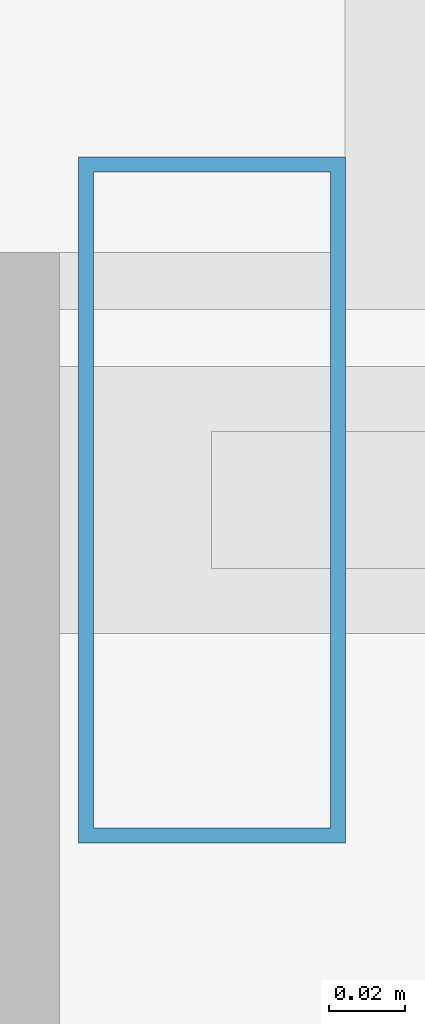
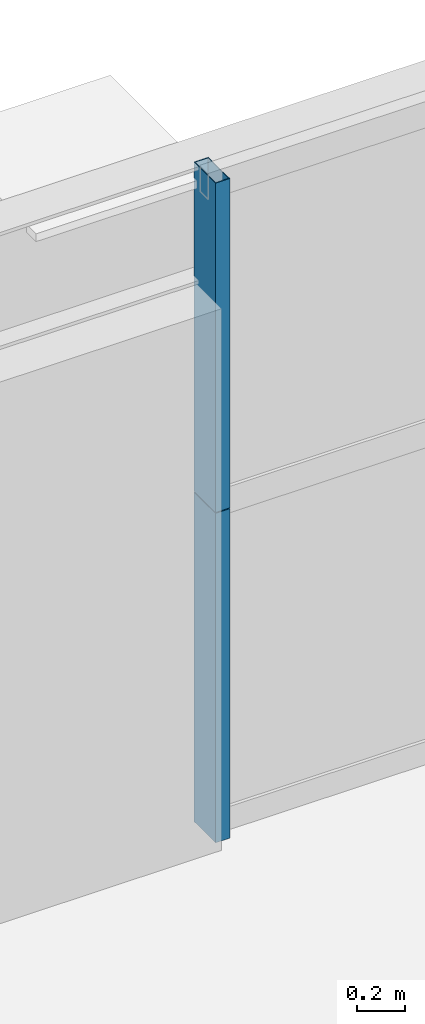
# One storey, part 26 of 43: 2 members, 1 element without a shape of its own.
"""IFC4 building model written with IfcOpenShell, lengths in metres."""

import ifcopenshell
import ifcopenshell.guid

model = None  # the IFC model being written
_history = None  # IfcOwnerHistory: only IFC2X3 demands one
_inside = {}  # id of a spatial element -> (the spatial element, [elements in it])
_under = {}  # id of a project, library or spatial element -> (it, [spatial elements below it])
_declared = {}  # id of a project -> (the project, [libraries it declares])
_typed = {}  # id of a type object -> (the type object, [elements of that type])
_made_of = {}  # id of a material, layer set ... -> (it, [elements and type objects made of it])


def new_model(schema):
    """Start an empty IFC model of exactly this schema.

    Asked for "IFC4X3", IfcOpenShell would pick the latest addendum, in which some entities
    have other attributes; the version numbers below select the first issue.
    IFC2X3 requires an IfcOwnerHistory on every rooted entity: one is made here for all.
    """
    global model, _history
    if schema == "IFC4X3":
        model = ifcopenshell.file(schema_version=(4, 3, 0, 0))
    else:
        model = ifcopenshell.file(schema=schema)
    _inside.clear()
    _under.clear()
    _declared.clear()
    _typed.clear()
    _made_of.clear()
    _history = None
    if model.schema == "IFC2X3":
        org = make("IfcOrganization", Name="unknown")
        user = make(
            "IfcPersonAndOrganization",
            ThePerson=make("IfcPerson", FamilyName="unknown"),
            TheOrganization=org,
        )
        app = make(
            "IfcApplication",
            ApplicationDeveloper=org,
            Version="unknown",
            ApplicationFullName="unknown",
            ApplicationIdentifier="unknown",
        )
        _history = make(
            "IfcOwnerHistory",
            OwningUser=user,
            OwningApplication=app,
            ChangeAction="ADDED",
            CreationDate=0,
        )
    return model


def make(cls, **values):
    """One entity of the class cls with the attributes given. An attribute that is None is left unset."""
    return model.create_entity(
        cls, **{name: value for name, value in values.items() if value is not None}
    )


def rooted(cls, **values):
    """An entity with a GlobalId (a new one), such as an element, a storey or a relation."""
    return make(cls, GlobalId=ifcopenshell.guid.new(), OwnerHistory=_history, **values)


def si_unit(unit_type, name, prefix=None):
    """IfcSIUnit, for example si_unit("LENGTHUNIT", "METRE", prefix="MILLI")."""
    return make("IfcSIUnit", UnitType=unit_type, Prefix=prefix, Name=name)


def assignment(units):
    """IfcUnitAssignment: the units of a project."""
    return None if units is None else make("IfcUnitAssignment", Units=units)


def point(xyz):
    """IfcCartesianPoint."""
    return None if xyz is None else make("IfcCartesianPoint", Coordinates=xyz)


def direction(xyz):
    """IfcDirection."""
    return None if xyz is None else make("IfcDirection", DirectionRatios=xyz)


def frame(location, z_axis=None, x_axis=None):
    """IfcAxis2Placement3D, a coordinate frame: its origin and axes. An axis left out is left unset."""
    return make(
        "IfcAxis2Placement3D",
        Location=point(location),
        Axis=direction(z_axis),
        RefDirection=direction(x_axis),
    )


def frame_2d(location, x_axis=None):
    """IfcAxis2Placement2D, a coordinate frame in the plane: its origin and x axis."""
    return make(
        "IfcAxis2Placement2D", Location=point(location), RefDirection=direction(x_axis)
    )


def origin():
    """The frame at (0, 0, 0) with its axes left unset."""
    return frame((0.0, 0.0, 0.0))


def origin_2d():
    """The frame at (0, 0) in the plane with its x axis left unset."""
    return frame_2d((0.0, 0.0))


def place(relative_to, where):
    """IfcLocalPlacement: puts the frame where relative to a parent placement (None: the world)."""
    return make(
        "IfcLocalPlacement", PlacementRelTo=relative_to, RelativePlacement=where
    )


def context(
    kind, dimensions, precision=None, world=None, true_north=None, identifier=None
):
    """IfcGeometricRepresentationContext, for example the 3D "Model" context."""
    return make(
        "IfcGeometricRepresentationContext",
        ContextIdentifier=identifier,
        ContextType=kind,
        CoordinateSpaceDimension=dimensions,
        Precision=precision,
        WorldCoordinateSystem=world,
        TrueNorth=true_north,
    )


def subcontext(parent, identifier, kind, view, scale=None):
    """IfcGeometricRepresentationSubContext, for example "Body" below "Model"."""
    return make(
        "IfcGeometricRepresentationSubContext",
        ContextIdentifier=identifier,
        ContextType=kind,
        ParentContext=parent,
        TargetScale=scale,
        TargetView=view,
    )


def project(units=None, contexts=None):
    """IfcProject with its units and contexts."""
    return rooted(
        "IfcProject",
        Name="project",
        RepresentationContexts=contexts,
        UnitsInContext=assignment(units),
    )


def spatial(cls, under=None, at=None, **own):
    """A site, building, storey or space (cls), placed at a placement, below another one or the project."""
    s = rooted(cls, ObjectPlacement=at, **own)
    if under is not None:
        _under.setdefault(under.id(), (under, []))[1].append(s)
    return s


def profile(cls, at=None, kind="AREA", **sizes):
    """A parametric profile (cls). Its sizes go by their IFC names, for example OverallWidth=200.0."""
    return make(cls, ProfileType=kind, Position=at, **sizes)


def hollow_rectangle(**sizes):
    """IfcRectangleHollowProfileDef."""
    return profile("IfcRectangleHollowProfileDef", **sizes)


def extrude(swept, where, along, depth):
    """IfcExtrudedAreaSolid: the profile swept, set in the frame where, extruded along a direction by depth."""
    return make(
        "IfcExtrudedAreaSolid",
        SweptArea=swept,
        Position=where,
        ExtrudedDirection=direction(along),
        Depth=depth,
    )


def shape(context_of_items, identifier, shape_type, items):
    """IfcShapeRepresentation: the items that make up one representation, for example the "Body"."""
    return make(
        "IfcShapeRepresentation",
        ContextOfItems=context_of_items,
        RepresentationIdentifier=identifier,
        RepresentationType=shape_type,
        Items=items,
    )


def source(mapping_origin, context_of_items, identifier, shape_type, items):
    """IfcRepresentationMap: a shape defined once, which mapped items show again and again."""
    return make(
        "IfcRepresentationMap",
        MappingOrigin=mapping_origin,
        MappedRepresentation=shape(context_of_items, identifier, shape_type, items),
    )


def transform(
    local_origin,
    x_axis=None,
    y_axis=None,
    z_axis=None,
    scale=None,
    scale2=None,
    scale3=None,
    uniform=True,
):
    """IfcCartesianTransformationOperator3D, or its non-uniform kind. x_axis, y_axis, z_axis: its Axis1, 2, 3."""
    if uniform:
        return make(
            "IfcCartesianTransformationOperator3D",
            Axis1=direction(x_axis),
            Axis2=direction(y_axis),
            LocalOrigin=point(local_origin),
            Scale=scale,
            Axis3=direction(z_axis),
        )
    return make(
        "IfcCartesianTransformationOperator3DnonUniform",
        Axis1=direction(x_axis),
        Axis2=direction(y_axis),
        LocalOrigin=point(local_origin),
        Scale=scale,
        Axis3=direction(z_axis),
        Scale2=scale2,
        Scale3=scale3,
    )


def mapped(mapping_source, mapping_target):
    """IfcMappedItem: shows the shape of a source again, moved by a transform."""
    return make(
        "IfcMappedItem", MappingSource=mapping_source, MappingTarget=mapping_target
    )


def material(Name=None, Category=None):
    """IfcMaterial."""
    return make("IfcMaterial", Name=Name, Category=Category)


def layer(
    of_material, thickness, ventilated=None, Name=None, Category=None, Priority=None
):
    """IfcMaterialLayer: one layer of a wall or slab, of a material (None: an air gap)."""
    return make(
        "IfcMaterialLayer",
        Material=of_material,
        LayerThickness=thickness,
        IsVentilated=ventilated,
        Name=Name,
        Category=Category,
        Priority=Priority,
    )


def layer_set(layers, Name=None):
    """IfcMaterialLayerSet."""
    return make("IfcMaterialLayerSet", MaterialLayers=layers, LayerSetName=Name)


def material_profile(
    of_material, cross_section, Name=None, Category=None, Priority=None
):
    """IfcMaterialProfile: a cross section and its material."""
    return make(
        "IfcMaterialProfile",
        Name=Name,
        Material=of_material,
        Profile=cross_section,
        Priority=Priority,
        Category=Category,
    )


def profile_set(profiles, Name=None, composite=None):
    """IfcMaterialProfileSet."""
    return make(
        "IfcMaterialProfileSet",
        Name=Name,
        MaterialProfiles=profiles,
        CompositeProfile=composite,
    )


def made_of(thing, what):
    """Note that an element or type object is made of a material, layer set ...; save() writes the relation."""
    if what is not None:
        _made_of.setdefault(what.id(), (what, []))[1].append(thing)
    return thing


def type_object(cls, material=None, **own):
    """A type object (cls), such as IfcWallType, which elements share."""
    return made_of(rooted(cls, **own), material)


def element(
    cls,
    number,
    at=None,
    inside=None,
    cuts=None,
    type_object=None,
    material=None,
    context=None,
    identifier="Body",
    shape_type=None,
    held_by="IfcProductDefinitionShape",
    body=None,
    shapes=None,
    **own,
):
    """One element of the class cls, such as IfcWall. Its Tag is "e" and its number.

    at: its placement. inside: the storey or other place that contains it. cuts: it is an
    opening in that element (IfcRelVoidsElement). A single representation is given by context,
    identifier, shape_type and body (its items); several are given by shapes. held_by: the class
    of the entity that holds the representations. save() writes the other relations.
    """
    e = rooted(cls, Tag="e%d" % number, ObjectPlacement=at, **own)
    if body is not None:
        shapes = [shape(context, identifier, shape_type, body)]
    if shapes is not None:
        e.Representation = make(held_by, Representations=shapes)
    if inside is not None:
        _inside.setdefault(inside.id(), (inside, []))[1].append(e)
    if cuts is not None:
        rooted(
            "IfcRelVoidsElement", RelatingBuildingElement=cuts, RelatedOpeningElement=e
        )
    if type_object is not None:
        _typed.setdefault(type_object.id(), (type_object, []))[1].append(e)
    return made_of(e, material)


def aggregate(whole, parts):
    """IfcRelAggregates: a whole, such as a stair, and the parts it consists of."""
    return rooted("IfcRelAggregates", RelatingObject=whole, RelatedObjects=parts)


def save(model, path):
    """Write the relations noted so far, then the file.

    IfcRelAggregates (storeys below a building ...), IfcRelContainedInSpatialStructure (elements
    in a storey), IfcRelDefinesByType, IfcRelAssociatesMaterial and IfcRelDeclares: one each for
    every whole, place, type object, material and project.
    """
    for whole, parts in _under.values():
        aggregate(whole, parts)
    for where, things in _inside.values():
        rooted(
            "IfcRelContainedInSpatialStructure",
            RelatedElements=things,
            RelatingStructure=where,
        )
    for kind, things in _typed.values():
        rooted("IfcRelDefinesByType", RelatedObjects=things, RelatingType=kind)
    for what, things in _made_of.values():
        rooted("IfcRelAssociatesMaterial", RelatedObjects=things, RelatingMaterial=what)
    for by, libraries in _declared.values():
        rooted("IfcRelDeclares", RelatingContext=by, RelatedDefinitions=libraries)
    model.write(path)


model = new_model("IFC4")

# Units and contexts
model_context = context("Model", 3, precision=1e-05, world=origin(), true_north=direction((0.0, 1.0)))
body_context = subcontext(model_context, "Body", "Model", "MODEL_VIEW")
ifc_project = project(units=[si_unit("LENGTHUNIT", "METRE"), si_unit("AREAUNIT", "SQUARE_METRE"), si_unit("VOLUMEUNIT", "CUBIC_METRE"), si_unit("PLANEANGLEUNIT", "RADIAN"), si_unit("MASSUNIT", "GRAM", prefix="KILO"), si_unit("THERMODYNAMICTEMPERATUREUNIT", "KELVIN"), si_unit("POWERUNIT", "WATT")], contexts=[model_context])

# Site, building, storey
site_placement = place(None, origin())
site = spatial("IfcSite", under=ifc_project, at=site_placement, CompositionType="ELEMENT")
building_placement = place(site_placement, origin())
building = spatial("IfcBuilding", under=site, at=building_placement, Name="Yuzanri Waterfront Tower", CompositionType="ELEMENT")
storey_placement = place(building_placement, frame((0.0, 0.0, 78.39990234375)))
storey = spatial("IfcBuildingStorey", under=building, at=storey_placement, Name="L20", CompositionType="ELEMENT", Elevation=78.39990234375)

# Curtain wall, members
ifc_material_1 = material(Name="Anodized Architectural Bronze", Category="metal")
ifc_layer = layer(ifc_material_1, 0.159912109375)
ifc_layer_set = layer_set([ifc_layer], Name="Anodized Architectural Bronze")
curtain_wall_type = type_object("IfcCurtainWallType", Name="Anodized Bronze Hotel Lower-Tier Recessed Unitized Curtain Wall 8100", PredefinedType="NOTDEFINED", material=ifc_layer_set)
curtain_wall_placement = place(storey_placement, origin())
curtain_wall = element("IfcCurtainWall", 1, at=curtain_wall_placement, inside=storey, type_object=curtain_wall_type, Name="L20 Curtain Wall CW-L20-NL", PredefinedType="NOTDEFINED")
ifc_material_2 = material(Name="Anodized Architectural Bronze", Category="metal")
ifc_material_profile = material_profile(ifc_material_2, hollow_rectangle(XDim=0.070068359375, YDim=0.179931640625, WallThickness=0.00390625, at=origin_2d()), Name="CWM 70x180")
ifc_profile_set = profile_set([ifc_material_profile], Name="Anodized Architectural Bronze")
member_type = type_object("IfcMemberType", Name="Anodized Bronze Standard Curtain-Wall Mullion 70x180", PredefinedType="MULLION", material=ifc_profile_set)
shared_shape = source(origin(), body_context, "Body", "SweptSolid", [
    extrude(hollow_rectangle(XDim=0.070068359375, YDim=0.179931640625, WallThickness=0.00390625, at=origin_2d()), origin(), (0.0, 0.0, 1.0), 1.68798828125),
])
member_1_placement = place(storey_placement, frame((19.2900390625, 50.75, 0.0), z_axis=(0.0, 0.0, 1.0), x_axis=(1.0, 0.0, 0.0)))
member_1 = element("IfcMember", 2, at=member_1_placement, type_object=member_type, Name="CW-L20-NL Lower Mullion 00", PredefinedType="MULLION", context=body_context, shape_type="MappedRepresentation", body=[
    mapped(shared_shape, transform((0.0, 0.0, 0.0), scale=1.0)),
])
member_2_placement = place(storey_placement, frame((19.2900390625, 50.75, 1.692138671875), z_axis=(0.0, 0.0, 1.0), x_axis=(1.0, 0.0, 0.0)))
member_2 = element("IfcMember", 3, at=member_2_placement, type_object=member_type, Name="CW-L20-NL Upper Mullion 00", PredefinedType="MULLION", context=body_context, shape_type="MappedRepresentation", body=[
    mapped(shared_shape, transform((0.0, 0.0, 0.0), scale=1.0)),
])
aggregate(curtain_wall, [member_1, member_2])

save(model, "model.ifc")
